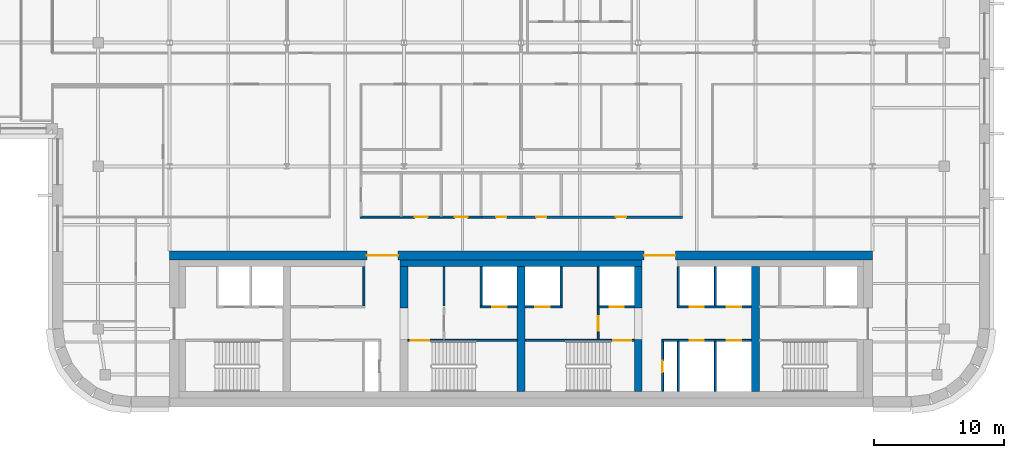
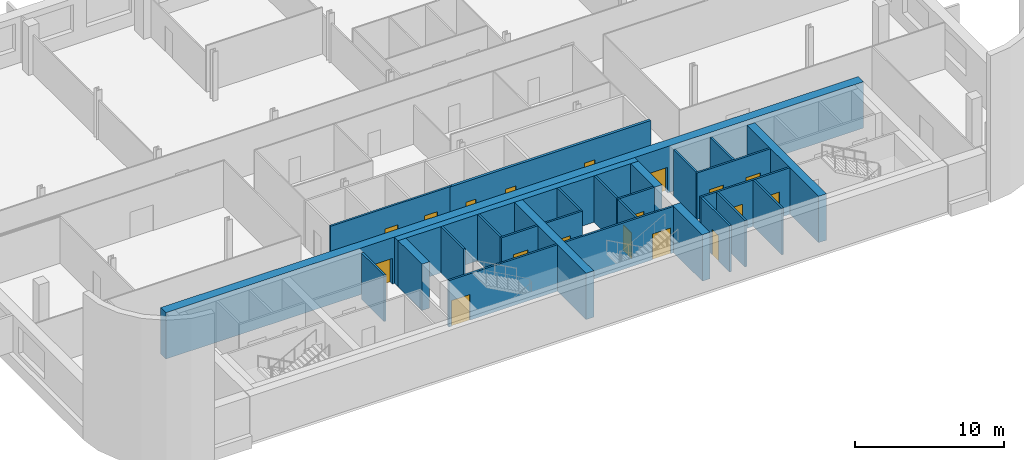
# One storey, part 8 of 16: 27 walls, 18 doors, 18 openings.
"""IFC4 building model written with IfcOpenShell, lengths in metres."""

from ifc_helpers import new_model, si_unit, direction, frame, frame_2d, origin, place, context, subcontext, project, spatial, rectangle, extrude, material, layer, layer_set, type_object, element, fill, save


model = new_model("IFC4")

# Units and contexts
model_context = context("Model", 3, precision=1e-05, world=origin(), true_north=direction((0.0, 1.0)))
body_context = subcontext(model_context, "Body", "Model", "MODEL_VIEW")
ifc_project = project(units=[si_unit("LENGTHUNIT", "METRE"), si_unit("AREAUNIT", "SQUARE_METRE"), si_unit("VOLUMEUNIT", "CUBIC_METRE"), si_unit("PLANEANGLEUNIT", "RADIAN"), si_unit("MASSUNIT", "GRAM", prefix="KILO")], contexts=[model_context])

# Site, building, storey
site_placement = place(None, origin())
site = spatial("IfcSite", under=ifc_project, at=site_placement, CompositionType="ELEMENT")
building_placement = place(site_placement, origin())
building = spatial("IfcBuilding", under=site, at=building_placement, Name="Zellij Exchange Tower", CompositionType="ELEMENT")
storey_placement = place(building_placement, frame((0.0, 0.0, 244.5)))
storey = spatial("IfcBuildingStorey", under=building, at=storey_placement, Name="L57", CompositionType="ELEMENT", Elevation=244.5)

# Walls
ifc_material_1 = material(Name="Concrete C50/60", Category="concrete")
ifc_layer_1 = layer(ifc_material_1, 0.60009765625)
ifc_layer_set_1 = layer_set([ifc_layer_1], Name="Concrete C50/60")
wall_type_1 = type_object("IfcWallType", Name="CORE-CW 600 C50/60", PredefinedType="SHEAR", material=ifc_layer_set_1)
wall_1_placement = place(storey_placement, frame((-9.0, -6.375, 0.0), z_axis=(0.0, 0.0, 1.0), x_axis=(0.0, 1.0, 0.0)))
element("IfcWall", 1, at=wall_1_placement, inside=storey, type_object=wall_type_1, Name="Core cross wall pier x -9 b L57", PredefinedType="SHEAR", context=body_context, shape_type="SweptSolid", body=[
    extrude(rectangle(XDim=3.175048828125, YDim=0.60009765625, at=frame_2d((1.58740234375, 0.0))), origin(), (0.0, 0.0, 1.0), 3.800048828125),
])
wall_2_placement = place(storey_placement, frame((0.0, -12.800048828125, 0.0), z_axis=(0.0, 0.0, 1.0), x_axis=(0.0, 1.0, 0.0)))
element("IfcWall", 2, at=wall_2_placement, inside=storey, type_object=wall_type_1, Name="Core cross wall x 0 L57", PredefinedType="SHEAR", context=body_context, shape_type="SweptSolid", body=[
    extrude(rectangle(XDim=9.60009765625, YDim=0.60009765625, at=frame_2d((4.800048828125, 0.0))), origin(), (0.0, 0.0, 1.0), 3.800048828125),
])
wall_3_placement = place(storey_placement, frame((9.0, -12.800048828125, 0.0), z_axis=(0.0, 0.0, 1.0), x_axis=(0.0, 1.0, 0.0)))
element("IfcWall", 3, at=wall_3_placement, inside=storey, type_object=wall_type_1, Name="Core cross wall pier x 9 a L57", PredefinedType="SHEAR", context=body_context, shape_type="SweptSolid", body=[
    extrude(rectangle(XDim=4.0, YDim=0.60009765625, at=frame_2d((2.0, 0.0))), origin(), (0.0, 0.0, 1.0), 3.800048828125),
])
wall_4_placement = place(storey_placement, frame((9.0, -6.375, 0.0), z_axis=(0.0, 0.0, 1.0), x_axis=(0.0, 1.0, 0.0)))
element("IfcWall", 4, at=wall_4_placement, inside=storey, type_object=wall_type_1, Name="Core cross wall pier x 9 b L57", PredefinedType="SHEAR", context=body_context, shape_type="SweptSolid", body=[
    extrude(rectangle(XDim=3.175048828125, YDim=0.60009765625, at=frame_2d((1.58740234375, 0.0))), origin(), (0.0, 0.0, 1.0), 3.800048828125),
])
wall_5_placement = place(storey_placement, frame((18.0, -12.800048828125, 0.0), z_axis=(0.0, 0.0, 1.0), x_axis=(0.0, 1.0, 0.0)))
element("IfcWall", 5, at=wall_5_placement, inside=storey, type_object=wall_type_1, Name="Core cross wall x 18 L57", PredefinedType="SHEAR", context=body_context, shape_type="SweptSolid", body=[
    extrude(rectangle(XDim=9.60009765625, YDim=0.60009765625, at=frame_2d((4.800048828125, 0.0))), origin(), (0.0, 0.0, 1.0), 3.800048828125),
])
ifc_material_2 = material(Name="Concrete C30/37", Category="concrete")
ifc_layer_2 = layer(ifc_material_2, 0.5)
ifc_layer_set_2 = layer_set([ifc_layer_2], Name="Concrete C30/37")
wall_type_2 = type_object("IfcWallType", Name="CORE-LW 500 C30/37", PredefinedType="SHEAR", material=ifc_layer_set_2)
wall_6_placement = place(storey_placement, frame((-9.300048828125, -2.949951171875, 0.0), z_axis=(0.0, 0.0, 1.0), x_axis=(1.0, 0.0, 0.0)))
element("IfcWall", 6, at=wall_6_placement, inside=storey, type_object=wall_type_2, Name="Core wall lining front.1 L57", PredefinedType="SHEAR", context=body_context, shape_type="SweptSolid", body=[
    extrude(rectangle(XDim=18.60009765625, YDim=0.5, at=frame_2d((9.300048828125, 0.0))), origin(), (0.0, 0.0, 1.0), 3.800048828125),
])

# Wall, opening, door
ifc_material_3 = material(Name="Gypsum shaft wall system")
ifc_layer_3 = layer(ifc_material_3, 0.14990234375)
ifc_layer_set_3 = layer_set([ifc_layer_3], Name="Gypsum shaft wall system")
wall_type_3 = type_object("IfcWallType", Name="CORE-PW 150 Firefighting lobby wall", PredefinedType="PARTITIONING", material=ifc_layer_set_3)
wall_7_placement = place(storey_placement, frame((5.925048828125, -8.800048828125, 0.0), z_axis=(0.0, 0.0, 1.0), x_axis=(0.0, 1.0, 0.0)))
wall_7 = element("IfcWall", 7, at=wall_7_placement, inside=storey, type_object=wall_type_3, Name="Firefighting lobby wall L57", PredefinedType="PARTITIONING", context=body_context, shape_type="SweptSolid", body=[
    extrude(rectangle(XDim=2.425048828125, YDim=0.14990234375, at=frame_2d((1.21240234375, 0.0))), origin(), (0.0, 0.0, 1.0), 3.800048828125),
])
opening_1_placement = place(wall_7_placement, frame((0.662109375, 0.0, 0.0)))
opening_1 = element("IfcOpeningElement", 8, at=opening_1_placement, cuts=wall_7, Name="Opening CA-30.13", PredefinedType="OPENING", context=body_context, shape_type="SweptSolid", body=[
    extrude(rectangle(XDim=1.10009765625, YDim=2.10009765625, at=frame_2d((0.550048828125, 1.050048828125))), frame((0.0, 0.0869140625, 0.0), z_axis=(0.0, -1.0, 0.0), x_axis=(1.0, 0.0, 0.0)), (0.0, 0.0, 1.0), 0.173828125),
])
ifc_material_4 = material(Name="Hollow metal fire door")
door_type_1 = type_object("IfcDoorType", Name="CORE-D F Firefighting lobby door 1100x2100 1 HR", OperationType="NOTDEFINED", PredefinedType="DOOR", material=ifc_material_4)
door_1_placement = place(opening_1_placement, origin())
door_1 = element("IfcDoor", 9, at=door_1_placement, inside=storey, type_object=door_type_1, Name="Firefighting lobby door CA-30.13", OperationType="SINGLE_SWING_RIGHT", OverallHeight=2.10009765625, OverallWidth=1.10009765625, PredefinedType="DOOR", context=body_context, shape_type="SweptSolid", body=[
    extrude(rectangle(XDim=1.10009765625, YDim=2.10009765625, at=frame_2d((0.550048828125, 1.050048828125))), frame((0.0, 0.02490234375, 0.0), z_axis=(0.0, -1.0, 0.0), x_axis=(1.0, 0.0, 0.0)), (0.0, 0.0, 1.0), 0.050048828125),
])
fill(opening_1, door_1)

# Walls
ifc_material_5 = material(Name="Gypsum board partition")
ifc_layer_4 = layer(ifc_material_5, 0.14990234375)
ifc_layer_set_4 = layer_set([ifc_layer_4], Name="Gypsum board partition")
wall_type_4 = type_object("IfcWallType", Name="CORE-PW 150 Lift lobby wall", PredefinedType="PARTITIONING", material=ifc_layer_set_4)
for number, where, z_axis, x_axis, name in (
    (10, (-12.074951171875, -6.22509765625, 0.0), (0.0, 0.0, 1.0), (0.0, 1.0, 0.0), "Lift lobby wall L57"),
    (11, (-5.925048828125, -6.22509765625, 0.0), (0.0, 0.0, 1.0), (0.0, 1.0, 0.0), "Lift lobby wall L57"),
):
    element("IfcWall", number, at=place(storey_placement, frame(where, z_axis=z_axis, x_axis=x_axis)), inside=storey, type_object=wall_type_4, Name=name, PredefinedType="PARTITIONING", context=body_context, shape_type="SweptSolid", body=[
        extrude(rectangle(XDim=3.025146484375, YDim=0.14990234375, at=frame_2d((1.5126953125, 0.0))), origin(), (0.0, 0.0, 1.0), 3.800048828125),
    ])

# Wall, opening, door
wall_8_placement = place(storey_placement, frame((10.875, -12.800048828125, 0.0), z_axis=(0.0, 0.0, 1.0), x_axis=(0.0, 1.0, 0.0)))
wall_8 = element("IfcWall", 12, at=wall_8_placement, inside=storey, type_object=wall_type_4, Name="Lift lobby wall L57", PredefinedType="PARTITIONING", context=body_context, shape_type="SweptSolid", body=[
    extrude(rectangle(XDim=3.85009765625, YDim=0.14990234375, at=frame_2d((1.925048828125, 0.0))), origin(), (0.0, 0.0, 1.0), 3.800048828125),
])
opening_2_placement = place(wall_8_placement, frame((1.47509765625, 0.0, 0.0)))
opening_2 = element("IfcOpeningElement", 13, at=opening_2_placement, cuts=wall_8, Name="Opening CA-30.17", PredefinedType="OPENING", context=body_context, shape_type="SweptSolid", body=[
    extrude(rectangle(XDim=0.89990234375, YDim=2.10009765625, at=frame_2d((0.449951171875, 1.050048828125))), frame((0.0, 0.0869140625, 0.0), z_axis=(0.0, -1.0, 0.0), x_axis=(1.0, 0.0, 0.0)), (0.0, 0.0, 1.0), 0.173828125),
])
door_type_2 = type_object("IfcDoorType", Name="CORE-D RD Riser door 900x2100 1.5 HR", OperationType="NOTDEFINED", PredefinedType="DOOR", material=ifc_material_4)
door_2_placement = place(opening_2_placement, origin())
door_2 = element("IfcDoor", 14, at=door_2_placement, inside=storey, type_object=door_type_2, Name="Riser door CA-30.17", OperationType="SINGLE_SWING_LEFT", OverallHeight=2.10009765625, OverallWidth=0.89990234375, PredefinedType="DOOR", context=body_context, shape_type="SweptSolid", body=[
    extrude(rectangle(XDim=0.89990234375, YDim=2.10009765625, at=frame_2d((0.449951171875, 1.050048828125))), frame((0.0, 0.02490234375, 0.0), z_axis=(0.0, -1.0, 0.0), x_axis=(1.0, 0.0, 0.0)), (0.0, 0.0, 1.0), 0.050048828125),
])
fill(opening_2, door_2)

# Walls
ifc_layer_5 = layer(ifc_material_3, 0.14990234375)
ifc_layer_set_5 = layer_set([ifc_layer_5], Name="Gypsum shaft wall system")
wall_type_5 = type_object("IfcWallType", Name="CORE-PW 150 Lift shaft wall", PredefinedType="PARTITIONING", material=ifc_layer_set_5)
for number, where, z_axis, x_axis, name in (
    (15, (-3.074951171875, -6.22509765625, 0.0), (0.0, 0.0, 1.0), (0.0, 1.0, 0.0), "Lift shaft wall L57"),
    (16, (3.074951171875, -6.22509765625, 0.0), (0.0, 0.0, 1.0), (0.0, 1.0, 0.0), "Lift shaft wall L57"),
    (17, (5.925048828125, -6.22509765625, 0.0), (0.0, 0.0, 1.0), (0.0, 1.0, 0.0), "Lift shaft wall L57"),
    (18, (12.074951171875, -6.22509765625, 0.0), (0.0, 0.0, 1.0), (0.0, 1.0, 0.0), "Lift shaft wall L57"),
    (19, (14.925048828125, -6.22509765625, 0.0), (0.0, 0.0, 1.0), (0.0, 1.0, 0.0), "Lift shaft wall L57"),
):
    element("IfcWall", number, at=place(storey_placement, frame(where, z_axis=z_axis, x_axis=x_axis)), inside=storey, type_object=wall_type_5, Name=name, PredefinedType="PARTITIONING", context=body_context, shape_type="SweptSolid", body=[
        extrude(rectangle(XDim=3.025146484375, YDim=0.14990234375, at=frame_2d((1.5126953125, 0.0))), origin(), (0.0, 0.0, 1.0), 3.800048828125),
    ])
for number, where, z_axis, x_axis, name in (
    (20, (12.074951171875, -12.800048828125, 0.0), (0.0, 0.0, 1.0), (0.0, 1.0, 0.0), "Lift shaft wall L57"),
    (21, (14.925048828125, -12.800048828125, 0.0), (0.0, 0.0, 1.0), (0.0, 1.0, 0.0), "Lift shaft wall L57"),
):
    element("IfcWall", number, at=place(storey_placement, frame(where, z_axis=z_axis, x_axis=x_axis)), inside=storey, type_object=wall_type_5, Name=name, PredefinedType="PARTITIONING", context=body_context, shape_type="SweptSolid", body=[
        extrude(rectangle(XDim=3.85009765625, YDim=0.14990234375, at=frame_2d((1.925048828125, 0.0))), origin(), (0.0, 0.0, 1.0), 3.800048828125),
    ])

# Wall, opening, door
wall_9_placement = place(storey_placement, frame((-3.14990234375, -6.300048828125, 0.0), z_axis=(0.0, 0.0, 1.0), x_axis=(1.0, 0.0, 0.0)))
wall_9 = element("IfcWall", 22, at=wall_9_placement, inside=storey, type_object=wall_type_5, Name="Lift shaft wall L57", PredefinedType="PARTITIONING", context=body_context, shape_type="SweptSolid", body=[
    extrude(rectangle(XDim=2.849853515625, YDim=0.14990234375, at=frame_2d((1.4248046875, 0.0))), origin(), (0.0, 0.0, 1.0), 3.800048828125),
])
opening_3_placement = place(wall_9_placement, frame((0.949951171875, 0.0, 0.0)))
opening_3 = element("IfcOpeningElement", 23, at=opening_3_placement, cuts=wall_9, Name="Opening CA-30.11", PredefinedType="OPENING", context=body_context, shape_type="SweptSolid", body=[
    extrude(rectangle(XDim=1.10009765625, YDim=2.10009765625, at=frame_2d((0.550048828125, 1.050048828125))), frame((0.0, 0.0869140625, 0.0), z_axis=(0.0, -1.0, 0.0), x_axis=(1.0, 0.0, 0.0)), (0.0, 0.0, 1.0), 0.173828125),
])
door_type_3 = type_object("IfcDoorType", Name="CORE-D LD Lift landing door 1100x2100 1.5 HR", OperationType="NOTDEFINED", PredefinedType="DOOR", material=ifc_material_4)
door_3_placement = place(opening_3_placement, origin())
door_3 = element("IfcDoor", 24, at=door_3_placement, inside=storey, type_object=door_type_3, Name="Lift landing door CA-30.11", OperationType="SLIDING_TO_LEFT", OverallHeight=2.10009765625, OverallWidth=1.10009765625, PredefinedType="DOOR", context=body_context, shape_type="SweptSolid", body=[
    extrude(rectangle(XDim=1.10009765625, YDim=2.10009765625, at=frame_2d((0.550048828125, 1.050048828125))), frame((0.0, 0.02490234375, 0.0), z_axis=(0.0, -1.0, 0.0), x_axis=(1.0, 0.0, 0.0)), (0.0, 0.0, 1.0), 0.050048828125),
])
fill(opening_3, door_3)

wall_10_placement = place(storey_placement, frame((0.300048828125, -6.300048828125, 0.0), z_axis=(0.0, 0.0, 1.0), x_axis=(1.0, 0.0, 0.0)))
wall_10 = element("IfcWall", 25, at=wall_10_placement, inside=storey, type_object=wall_type_5, Name="Lift shaft wall L57", PredefinedType="PARTITIONING", context=body_context, shape_type="SweptSolid", body=[
    extrude(rectangle(XDim=2.849853515625, YDim=0.14990234375, at=frame_2d((1.4248046875, 0.0))), origin(), (0.0, 0.0, 1.0), 3.800048828125),
])
opening_4_placement = place(wall_10_placement, frame((0.800048828125, 0.0, 0.0)))
opening_4 = element("IfcOpeningElement", 26, at=opening_4_placement, cuts=wall_10, Name="Opening CA-30.12", PredefinedType="OPENING", context=body_context, shape_type="SweptSolid", body=[
    extrude(rectangle(XDim=1.10009765625, YDim=2.10009765625, at=frame_2d((0.550048828125, 1.050048828125))), frame((0.0, 0.0869140625, 0.0), z_axis=(0.0, -1.0, 0.0), x_axis=(1.0, 0.0, 0.0)), (0.0, 0.0, 1.0), 0.173828125),
])
door_4_placement = place(opening_4_placement, origin())
door_4 = element("IfcDoor", 27, at=door_4_placement, inside=storey, type_object=door_type_3, Name="Lift landing door CA-30.12", OperationType="SLIDING_TO_RIGHT", OverallHeight=2.10009765625, OverallWidth=1.10009765625, PredefinedType="DOOR", context=body_context, shape_type="SweptSolid", body=[
    extrude(rectangle(XDim=1.10009765625, YDim=2.10009765625, at=frame_2d((0.550048828125, 1.050048828125))), frame((0.0, 0.02490234375, 0.0), z_axis=(0.0, -1.0, 0.0), x_axis=(1.0, 0.0, 0.0)), (0.0, 0.0, 1.0), 0.050048828125),
])
fill(opening_4, door_4)

wall_11_placement = place(storey_placement, frame((5.85009765625, -6.300048828125, 0.0), z_axis=(0.0, 0.0, 1.0), x_axis=(1.0, 0.0, 0.0)))
wall_11 = element("IfcWall", 28, at=wall_11_placement, inside=storey, type_object=wall_type_5, Name="Lift shaft wall L57", PredefinedType="PARTITIONING", context=body_context, shape_type="SweptSolid", body=[
    extrude(rectangle(XDim=2.849853515625, YDim=0.14990234375, at=frame_2d((1.4248046875, 0.0))), origin(), (0.0, 0.0, 1.0), 3.800048828125),
])
opening_5_placement = place(wall_11_placement, frame((0.949951171875, 0.0, 0.0)))
opening_5 = element("IfcOpeningElement", 29, at=opening_5_placement, cuts=wall_11, Name="Opening CA-30.14", PredefinedType="OPENING", context=body_context, shape_type="SweptSolid", body=[
    extrude(rectangle(XDim=1.10009765625, YDim=2.10009765625, at=frame_2d((0.550048828125, 1.050048828125))), frame((0.0, 0.0869140625, 0.0), z_axis=(0.0, -1.0, 0.0), x_axis=(1.0, 0.0, 0.0)), (0.0, 0.0, 1.0), 0.173828125),
])
door_5_placement = place(opening_5_placement, origin())
door_5 = element("IfcDoor", 30, at=door_5_placement, inside=storey, type_object=door_type_3, Name="Lift landing door CA-30.14", OperationType="SLIDING_TO_RIGHT", OverallHeight=2.10009765625, OverallWidth=1.10009765625, PredefinedType="DOOR", context=body_context, shape_type="SweptSolid", body=[
    extrude(rectangle(XDim=1.10009765625, YDim=2.10009765625, at=frame_2d((0.550048828125, 1.050048828125))), frame((0.0, 0.02490234375, 0.0), z_axis=(0.0, -1.0, 0.0), x_axis=(1.0, 0.0, 0.0)), (0.0, 0.0, 1.0), 0.050048828125),
])
fill(opening_5, door_5)

# Wall, openings, doors
wall_12_placement = place(storey_placement, frame((12.0, -6.300048828125, 0.0), z_axis=(0.0, 0.0, 1.0), x_axis=(1.0, 0.0, 0.0)))
wall_12 = element("IfcWall", 31, at=wall_12_placement, inside=storey, type_object=wall_type_5, Name="Lift shaft wall L57", PredefinedType="PARTITIONING", context=body_context, shape_type="SweptSolid", body=[
    extrude(rectangle(XDim=5.699951171875, YDim=0.14990234375, at=frame_2d((2.85009765625, 0.0))), origin(), (0.0, 0.0, 1.0), 3.800048828125),
])
opening_6_placement = place(wall_12_placement, frame((0.949951171875, 0.0, 0.0)))
opening_6 = element("IfcOpeningElement", 32, at=opening_6_placement, cuts=wall_12, Name="Opening CA-30.19", PredefinedType="OPENING", context=body_context, shape_type="SweptSolid", body=[
    extrude(rectangle(XDim=1.10009765625, YDim=2.10009765625, at=frame_2d((0.550048828125, 1.050048828125))), frame((0.0, 0.0869140625, 0.0), z_axis=(0.0, -1.0, 0.0), x_axis=(1.0, 0.0, 0.0)), (0.0, 0.0, 1.0), 0.173828125),
])
opening_7_placement = place(wall_12_placement, frame((3.800048828125, 0.0, 0.0)))
opening_7 = element("IfcOpeningElement", 33, at=opening_7_placement, cuts=wall_12, Name="Opening CA-30.21", PredefinedType="OPENING", context=body_context, shape_type="SweptSolid", body=[
    extrude(rectangle(XDim=1.10009765625, YDim=2.10009765625, at=frame_2d((0.550048828125, 1.050048828125))), frame((0.0, 0.0869140625, 0.0), z_axis=(0.0, -1.0, 0.0), x_axis=(1.0, 0.0, 0.0)), (0.0, 0.0, 1.0), 0.173828125),
])
door_6_placement = place(opening_6_placement, origin())
door_6 = element("IfcDoor", 34, at=door_6_placement, inside=storey, type_object=door_type_3, Name="Lift landing door CA-30.19", OperationType="SLIDING_TO_LEFT", OverallHeight=2.10009765625, OverallWidth=1.10009765625, PredefinedType="DOOR", context=body_context, shape_type="SweptSolid", body=[
    extrude(rectangle(XDim=1.10009765625, YDim=2.10009765625, at=frame_2d((0.550048828125, 1.050048828125))), frame((0.0, 0.02490234375, 0.0), z_axis=(0.0, -1.0, 0.0), x_axis=(1.0, 0.0, 0.0)), (0.0, 0.0, 1.0), 0.050048828125),
])
fill(opening_6, door_6)
door_7_placement = place(opening_7_placement, origin())
door_7 = element("IfcDoor", 35, at=door_7_placement, inside=storey, type_object=door_type_3, Name="Lift landing door CA-30.21", OperationType="SLIDING_TO_LEFT", OverallHeight=2.10009765625, OverallWidth=1.10009765625, PredefinedType="DOOR", context=body_context, shape_type="SweptSolid", body=[
    extrude(rectangle(XDim=1.10009765625, YDim=2.10009765625, at=frame_2d((0.550048828125, 1.050048828125))), frame((0.0, 0.02490234375, 0.0), z_axis=(0.0, -1.0, 0.0), x_axis=(1.0, 0.0, 0.0)), (0.0, 0.0, 1.0), 0.050048828125),
])
fill(opening_7, door_7)

wall_13_placement = place(storey_placement, frame((10.800048828125, -8.875, 0.0), z_axis=(0.0, 0.0, 1.0), x_axis=(1.0, 0.0, 0.0)))
wall_13 = element("IfcWall", 36, at=wall_13_placement, inside=storey, type_object=wall_type_5, Name="Lift shaft wall L57", PredefinedType="PARTITIONING", context=body_context, shape_type="SweptSolid", body=[
    extrude(rectangle(XDim=6.89990234375, YDim=0.14990234375, at=frame_2d((3.449951171875, 0.0))), origin(), (0.0, 0.0, 1.0), 3.800048828125),
])
opening_8_placement = place(wall_13_placement, frame((2.14990234375, 0.0, 0.0)))
opening_8 = element("IfcOpeningElement", 37, at=opening_8_placement, cuts=wall_13, Name="Opening CA-30.18", PredefinedType="OPENING", context=body_context, shape_type="SweptSolid", body=[
    extrude(rectangle(XDim=1.10009765625, YDim=2.10009765625, at=frame_2d((0.550048828125, 1.050048828125))), frame((0.0, 0.0869140625, 0.0), z_axis=(0.0, -1.0, 0.0), x_axis=(1.0, 0.0, 0.0)), (0.0, 0.0, 1.0), 0.173828125),
])
opening_9_placement = place(wall_13_placement, frame((5.0, 0.0, 0.0)))
opening_9 = element("IfcOpeningElement", 38, at=opening_9_placement, cuts=wall_13, Name="Opening CA-30.20", PredefinedType="OPENING", context=body_context, shape_type="SweptSolid", body=[
    extrude(rectangle(XDim=1.10009765625, YDim=2.10009765625, at=frame_2d((0.550048828125, 1.050048828125))), frame((0.0, 0.0869140625, 0.0), z_axis=(0.0, -1.0, 0.0), x_axis=(1.0, 0.0, 0.0)), (0.0, 0.0, 1.0), 0.173828125),
])
door_8_placement = place(opening_8_placement, origin())
door_8 = element("IfcDoor", 39, at=door_8_placement, inside=storey, type_object=door_type_3, Name="Lift landing door CA-30.18", OperationType="SLIDING_TO_RIGHT", OverallHeight=2.10009765625, OverallWidth=1.10009765625, PredefinedType="DOOR", context=body_context, shape_type="SweptSolid", body=[
    extrude(rectangle(XDim=1.10009765625, YDim=2.10009765625, at=frame_2d((0.550048828125, 1.050048828125))), frame((0.0, 0.02490234375, 0.0), z_axis=(0.0, -1.0, 0.0), x_axis=(1.0, 0.0, 0.0)), (0.0, 0.0, 1.0), 0.050048828125),
])
fill(opening_8, door_8)
door_9_placement = place(opening_9_placement, origin())
door_9 = element("IfcDoor", 40, at=door_9_placement, inside=storey, type_object=door_type_3, Name="Lift landing door CA-30.20", OperationType="SLIDING_TO_RIGHT", OverallHeight=2.10009765625, OverallWidth=1.10009765625, PredefinedType="DOOR", context=body_context, shape_type="SweptSolid", body=[
    extrude(rectangle(XDim=1.10009765625, YDim=2.10009765625, at=frame_2d((0.550048828125, 1.050048828125))), frame((0.0, 0.02490234375, 0.0), z_axis=(0.0, -1.0, 0.0), x_axis=(1.0, 0.0, 0.0)), (0.0, 0.0, 1.0), 0.050048828125),
])
fill(opening_9, door_9)

ifc_layer_6 = layer(ifc_material_1, 0.699951171875)
ifc_layer_set_6 = layer_set([ifc_layer_6], Name="Concrete C50/60")
wall_type_6 = type_object("IfcWallType", Name="CORE-SW 700 C50/60", PredefinedType="SHEAR", material=ifc_layer_set_6)
wall_14_placement = place(storey_placement, frame((-27.0, -2.35009765625, 0.0), z_axis=(0.0, 0.0, 1.0), x_axis=(1.0, 0.0, 0.0)))
wall_14 = element("IfcWall", 41, at=wall_14_placement, inside=storey, type_object=wall_type_6, Name="Core shear wall front L57", PredefinedType="SHEAR", context=body_context, shape_type="SweptSolid", body=[
    extrude(rectangle(XDim=54.0, YDim=0.699951171875, at=frame_2d((27.0, 0.0))), origin(), (0.0, 0.0, 1.0), 3.800048828125),
])
opening_10_placement = place(wall_14_placement, frame((15.14990234375, 0.0, 0.0)))
opening_10 = element("IfcOpeningElement", 42, at=opening_10_placement, cuts=wall_14, Name="Opening CA-30.08", PredefinedType="OPENING", context=body_context, shape_type="SweptSolid", body=[
    extrude(rectangle(XDim=2.39990234375, YDim=2.10009765625, at=frame_2d((1.199951171875, 1.050048828125))), frame((0.0, 0.36181640625, 0.0), z_axis=(0.0, -1.0, 0.0), x_axis=(1.0, 0.0, 0.0)), (0.0, 0.0, 1.0), 0.723876953125),
])
opening_11_placement = place(wall_14_placement, frame((36.449951171875, 0.0, 0.0)))
opening_11 = element("IfcOpeningElement", 43, at=opening_11_placement, cuts=wall_14, Name="Opening CA-30.16", PredefinedType="OPENING", context=body_context, shape_type="SweptSolid", body=[
    extrude(rectangle(XDim=2.39990234375, YDim=2.10009765625, at=frame_2d((1.199951171875, 1.050048828125))), frame((0.0, 0.36181640625, 0.0), z_axis=(0.0, -1.0, 0.0), x_axis=(1.0, 0.0, 0.0)), (0.0, 0.0, 1.0), 0.723876953125),
])
door_type_4 = type_object("IfcDoorType", Name="CORE-D CE Core entrance door 2400x2100 20 MIN", OperationType="NOTDEFINED", PredefinedType="DOOR", material=ifc_material_4)
door_10_placement = place(opening_10_placement, origin())
door_10 = element("IfcDoor", 44, at=door_10_placement, inside=storey, type_object=door_type_4, Name="Core entrance door CA-30.08", OperationType="DOUBLE_DOOR_SINGLE_SWING", OverallHeight=2.10009765625, OverallWidth=2.39990234375, PredefinedType="DOOR", context=body_context, shape_type="SweptSolid", body=[
    extrude(rectangle(XDim=2.39990234375, YDim=2.10009765625, at=frame_2d((1.199951171875, 1.050048828125))), frame((0.0, 0.02490234375, 0.0), z_axis=(0.0, -1.0, 0.0), x_axis=(1.0, 0.0, 0.0)), (0.0, 0.0, 1.0), 0.050048828125),
])
fill(opening_10, door_10)
door_11_placement = place(opening_11_placement, origin())
door_11 = element("IfcDoor", 45, at=door_11_placement, inside=storey, type_object=door_type_4, Name="Core entrance door CA-30.16", OperationType="DOUBLE_DOOR_SINGLE_SWING", OverallHeight=2.10009765625, OverallWidth=2.39990234375, PredefinedType="DOOR", context=body_context, shape_type="SweptSolid", body=[
    extrude(rectangle(XDim=2.39990234375, YDim=2.10009765625, at=frame_2d((1.199951171875, 1.050048828125))), frame((0.0, 0.02490234375, 0.0), z_axis=(0.0, -1.0, 0.0), x_axis=(1.0, 0.0, 0.0)), (0.0, 0.0, 1.0), 0.050048828125),
])
fill(opening_11, door_11)

# Wall, opening, door
ifc_layer_7 = layer(ifc_material_1, 0.14990234375)
ifc_layer_set_7 = layer_set([ifc_layer_7], Name="Concrete C50/60")
wall_type_7 = type_object("IfcWallType", Name="CORE-SWS 150 C50/60", PredefinedType="SHEAR", material=ifc_layer_set_7)
wall_15_placement = place(storey_placement, frame((-8.699951171875, -8.875, 0.0), z_axis=(0.0, 0.0, 1.0), x_axis=(1.0, 0.0, 0.0)))
wall_15 = element("IfcWall", 46, at=wall_15_placement, inside=storey, type_object=wall_type_7, Name="Stair enclosure wall L57", PredefinedType="SHEAR", context=body_context, shape_type="SweptSolid", body=[
    extrude(rectangle(XDim=8.39990234375, YDim=0.14990234375, at=frame_2d((4.199951171875, 0.0))), origin(), (0.0, 0.0, 1.0), 3.800048828125),
])
opening_12_placement = place(wall_15_placement, frame((0.22509765625, 0.0, 0.0)))
opening_12 = element("IfcOpeningElement", 47, at=opening_12_placement, cuts=wall_15, Name="Opening CA-30.09", PredefinedType="OPENING", context=body_context, shape_type="SweptSolid", body=[
    extrude(rectangle(XDim=1.39990234375, YDim=2.10009765625, at=frame_2d((0.699951171875, 1.050048828125))), frame((0.0, 0.0869140625, 0.0), z_axis=(0.0, -1.0, 0.0), x_axis=(1.0, 0.0, 0.0)), (0.0, 0.0, 1.0), 0.173828125),
])
door_type_5 = type_object("IfcDoorType", Name="CORE-D SD Stair door 1400x2100 1.5 HR", OperationType="NOTDEFINED", PredefinedType="DOOR", material=ifc_material_4)
door_12_placement = place(opening_12_placement, origin())
door_12 = element("IfcDoor", 48, at=door_12_placement, inside=storey, type_object=door_type_5, Name="Stair door CA-30.09", OperationType="DOUBLE_DOOR_SINGLE_SWING", OverallHeight=2.10009765625, OverallWidth=1.39990234375, PredefinedType="DOOR", context=body_context, shape_type="SweptSolid", body=[
    extrude(rectangle(XDim=1.39990234375, YDim=2.10009765625, at=frame_2d((0.699951171875, 1.050048828125))), frame((0.0, 0.02490234375, 0.0), z_axis=(0.0, -1.0, 0.0), x_axis=(1.0, 0.0, 0.0)), (0.0, 0.0, 1.0), 0.050048828125),
])
fill(opening_12, door_12)

wall_16_placement = place(storey_placement, frame((0.300048828125, -8.875, 0.0), z_axis=(0.0, 0.0, 1.0), x_axis=(1.0, 0.0, 0.0)))
wall_16 = element("IfcWall", 49, at=wall_16_placement, inside=storey, type_object=wall_type_7, Name="Stair enclosure wall L57", PredefinedType="SHEAR", context=body_context, shape_type="SweptSolid", body=[
    extrude(rectangle(XDim=8.39990234375, YDim=0.14990234375, at=frame_2d((4.199951171875, 0.0))), origin(), (0.0, 0.0, 1.0), 3.800048828125),
])
opening_13_placement = place(wall_16_placement, frame((6.77490234375, 0.0, 0.0)))
opening_13 = element("IfcOpeningElement", 50, at=opening_13_placement, cuts=wall_16, Name="Opening CA-30.15", PredefinedType="OPENING", context=body_context, shape_type="SweptSolid", body=[
    extrude(rectangle(XDim=1.39990234375, YDim=2.10009765625, at=frame_2d((0.699951171875, 1.050048828125))), frame((0.0, 0.0869140625, 0.0), z_axis=(0.0, -1.0, 0.0), x_axis=(1.0, 0.0, 0.0)), (0.0, 0.0, 1.0), 0.173828125),
])
door_13_placement = place(opening_13_placement, origin())
door_13 = element("IfcDoor", 51, at=door_13_placement, inside=storey, type_object=door_type_5, Name="Stair door CA-30.15", OperationType="DOUBLE_DOOR_SINGLE_SWING", OverallHeight=2.10009765625, OverallWidth=1.39990234375, PredefinedType="DOOR", context=body_context, shape_type="SweptSolid", body=[
    extrude(rectangle(XDim=1.39990234375, YDim=2.10009765625, at=frame_2d((0.699951171875, 1.050048828125))), frame((0.0, 0.02490234375, 0.0), z_axis=(0.0, -1.0, 0.0), x_axis=(1.0, 0.0, 0.0)), (0.0, 0.0, 1.0), 0.050048828125),
])
fill(opening_13, door_13)

# Wall, openings, doors
ifc_material_6 = material(Name="Blockwork partition", Category="masonry")
ifc_layer_8 = layer(ifc_material_6, 0.199951171875)
ifc_layer_set_8 = layer_set([ifc_layer_8], Name="Blockwork partition")
wall_type_8 = type_object("IfcWallType", Name="FIT-BLOCKWORK-200", PredefinedType="PARTITIONING", material=ifc_layer_set_8)
wall_17_placement = place(storey_placement, frame((-3.155029296875, 0.60009765625, 0.0), z_axis=(0.0, 0.0, 1.0), x_axis=(1.0, 0.0, 0.0)))
wall_17 = element("IfcWall", 52, at=wall_17_placement, inside=storey, type_object=wall_type_8, Name="FIT-BLOCKWORK-200 011", PredefinedType="PARTITIONING", context=body_context, shape_type="SweptSolid", body=[
    extrude(rectangle(XDim=15.554931640625, YDim=0.199951171875, at=frame_2d((7.77734375, 0.0))), origin(), (0.0, 0.0, 1.0), 3.800048828125),
])
opening_14_placement = place(wall_17_placement, frame((1.22998046875, 0.0, 0.0)))
opening_14 = element("IfcOpeningElement", 53, at=opening_14_placement, cuts=wall_17, Name="Opening O4D.05", PredefinedType="OPENING", context=body_context, shape_type="SweptSolid", body=[
    extrude(rectangle(XDim=0.800048828125, YDim=2.10009765625, at=frame_2d((0.39990234375, 1.050048828125))), frame((0.0, 0.11181640625, 0.0), z_axis=(0.0, -1.0, 0.0), x_axis=(1.0, 0.0, 0.0)), (0.0, 0.0, 1.0), 0.223876953125),
])
opening_15_placement = place(wall_17_placement, frame((4.304931640625, 0.0, 0.0)))
opening_15 = element("IfcOpeningElement", 54, at=opening_15_placement, cuts=wall_17, Name="Opening O4D.06", PredefinedType="OPENING", context=body_context, shape_type="SweptSolid", body=[
    extrude(rectangle(XDim=0.800048828125, YDim=2.10009765625, at=frame_2d((0.39990234375, 1.050048828125))), frame((0.0, 0.11181640625, 0.0), z_axis=(0.0, -1.0, 0.0), x_axis=(1.0, 0.0, 0.0)), (0.0, 0.0, 1.0), 0.223876953125),
])
opening_16_placement = place(wall_17_placement, frame((10.429931640625, 0.0, 0.0)))
opening_16 = element("IfcOpeningElement", 55, at=opening_16_placement, cuts=wall_17, Name="Opening O4D.07", PredefinedType="OPENING", context=body_context, shape_type="SweptSolid", body=[
    extrude(rectangle(XDim=0.800048828125, YDim=2.10009765625, at=frame_2d((0.39990234375, 1.050048828125))), frame((0.0, 0.11181640625, 0.0), z_axis=(0.0, -1.0, 0.0), x_axis=(1.0, 0.0, 0.0)), (0.0, 0.0, 1.0), 0.223876953125),
])
ifc_material_7 = material(Name="Timber door set", Category="wood")
door_type_6 = type_object("IfcDoorType", Name="FIT-D6-SERVICE-800X2100", OperationType="SINGLE_SWING_LEFT", PredefinedType="DOOR", material=ifc_material_7)
door_14_placement = place(opening_14_placement, origin())
door_14 = element("IfcDoor", 56, at=door_14_placement, inside=storey, type_object=door_type_6, Name="Door O4D.05", OperationType="SINGLE_SWING_LEFT", OverallHeight=2.10009765625, OverallWidth=0.800048828125, PredefinedType="DOOR", context=body_context, shape_type="SweptSolid", body=[
    extrude(rectangle(XDim=0.800048828125, YDim=2.10009765625, at=frame_2d((0.39990234375, 1.050048828125))), frame((0.0, 0.02490234375, 0.0), z_axis=(0.0, -1.0, 0.0), x_axis=(1.0, 0.0, 0.0)), (0.0, 0.0, 1.0), 0.050048828125),
])
fill(opening_14, door_14)
door_15_placement = place(opening_15_placement, origin())
door_15 = element("IfcDoor", 57, at=door_15_placement, inside=storey, type_object=door_type_6, Name="Door O4D.06", OperationType="SINGLE_SWING_LEFT", OverallHeight=2.10009765625, OverallWidth=0.800048828125, PredefinedType="DOOR", context=body_context, shape_type="SweptSolid", body=[
    extrude(rectangle(XDim=0.800048828125, YDim=2.10009765625, at=frame_2d((0.39990234375, 1.050048828125))), frame((0.0, 0.02490234375, 0.0), z_axis=(0.0, -1.0, 0.0), x_axis=(1.0, 0.0, 0.0)), (0.0, 0.0, 1.0), 0.050048828125),
])
fill(opening_15, door_15)
door_16_placement = place(opening_16_placement, origin())
door_16 = element("IfcDoor", 58, at=door_16_placement, inside=storey, type_object=door_type_6, Name="Door O4D.07", OperationType="SINGLE_SWING_RIGHT", OverallHeight=2.10009765625, OverallWidth=0.800048828125, PredefinedType="DOOR", context=body_context, shape_type="SweptSolid", body=[
    extrude(rectangle(XDim=0.800048828125, YDim=2.10009765625, at=frame_2d((0.39990234375, 1.050048828125))), frame((0.0, 0.02490234375, 0.0), z_axis=(0.0, -1.0, 0.0), x_axis=(1.0, 0.0, 0.0)), (0.0, 0.0, 1.0), 0.050048828125),
])
fill(opening_16, door_16)

ifc_material_8 = material(Name="Gypsum board shaft-wall partition", Category="gypsum")
ifc_layer_9 = layer(ifc_material_8, 0.14990234375)
ifc_layer_set_9 = layer_set([ifc_layer_9], Name="Gypsum board shaft-wall partition")
wall_type_9 = type_object("IfcWallType", Name="FIT-PARTITION-150-EI60", PredefinedType="PARTITIONING", material=ifc_layer_set_9)
wall_18_placement = place(storey_placement, frame((-12.375, 0.60009765625, 0.0), z_axis=(0.0, 0.0, 1.0), x_axis=(1.0, 0.0, 0.0)))
wall_18 = element("IfcWall", 59, at=wall_18_placement, inside=storey, type_object=wall_type_9, Name="FIT-PARTITION-150-EI60 007", PredefinedType="PARTITIONING", context=body_context, shape_type="SweptSolid", body=[
    extrude(rectangle(XDim=9.3701171875, YDim=0.14990234375, at=frame_2d((4.68505859375, 0.0))), origin(), (0.0, 0.0, 1.0), 3.800048828125),
])
opening_17_placement = place(wall_18_placement, frame((4.199951171875, 0.0, 0.0)))
opening_17 = element("IfcOpeningElement", 60, at=opening_17_placement, cuts=wall_18, Name="Opening O4D.03", PredefinedType="OPENING", context=body_context, shape_type="SweptSolid", body=[
    extrude(rectangle(XDim=1.0, YDim=2.10009765625, at=frame_2d((0.5, 1.050048828125))), frame((0.0, 0.0869140625, 0.0), z_axis=(0.0, -1.0, 0.0), x_axis=(1.0, 0.0, 0.0)), (0.0, 0.0, 1.0), 0.173828125),
])
opening_18_placement = place(wall_18_placement, frame((7.27490234375, 0.0, 0.0)))
opening_18 = element("IfcOpeningElement", 61, at=opening_18_placement, cuts=wall_18, Name="Opening O4D.04", PredefinedType="OPENING", context=body_context, shape_type="SweptSolid", body=[
    extrude(rectangle(XDim=1.0, YDim=2.10009765625, at=frame_2d((0.5, 1.050048828125))), frame((0.0, 0.0869140625, 0.0), z_axis=(0.0, -1.0, 0.0), x_axis=(1.0, 0.0, 0.0)), (0.0, 0.0, 1.0), 0.173828125),
])
ifc_material_9 = material(Name="Steel fire door set", Category="steel")
door_type_7 = type_object("IfcDoorType", Name="FIT-D4-FIRE-1000X2100", OperationType="SINGLE_SWING_LEFT", PredefinedType="DOOR", material=ifc_material_9)
door_17_placement = place(opening_17_placement, origin())
door_17 = element("IfcDoor", 62, at=door_17_placement, inside=storey, type_object=door_type_7, Name="Door O4D.03", OperationType="SINGLE_SWING_RIGHT", OverallHeight=2.10009765625, OverallWidth=1.0, PredefinedType="DOOR", context=body_context, shape_type="SweptSolid", body=[
    extrude(rectangle(XDim=1.0, YDim=2.10009765625, at=frame_2d((0.5, 1.050048828125))), frame((0.0, 0.02490234375, 0.0), z_axis=(0.0, -1.0, 0.0), x_axis=(1.0, 0.0, 0.0)), (0.0, 0.0, 1.0), 0.050048828125),
])
fill(opening_17, door_17)
door_18_placement = place(opening_18_placement, origin())
door_18 = element("IfcDoor", 63, at=door_18_placement, inside=storey, type_object=door_type_7, Name="Door O4D.04", OperationType="SINGLE_SWING_RIGHT", OverallHeight=2.10009765625, OverallWidth=1.0, PredefinedType="DOOR", context=body_context, shape_type="SweptSolid", body=[
    extrude(rectangle(XDim=1.0, YDim=2.10009765625, at=frame_2d((0.5, 1.050048828125))), frame((0.0, 0.02490234375, 0.0), z_axis=(0.0, -1.0, 0.0), x_axis=(1.0, 0.0, 0.0)), (0.0, 0.0, 1.0), 0.050048828125),
])
fill(opening_18, door_18)

save(model, "model.ifc")
